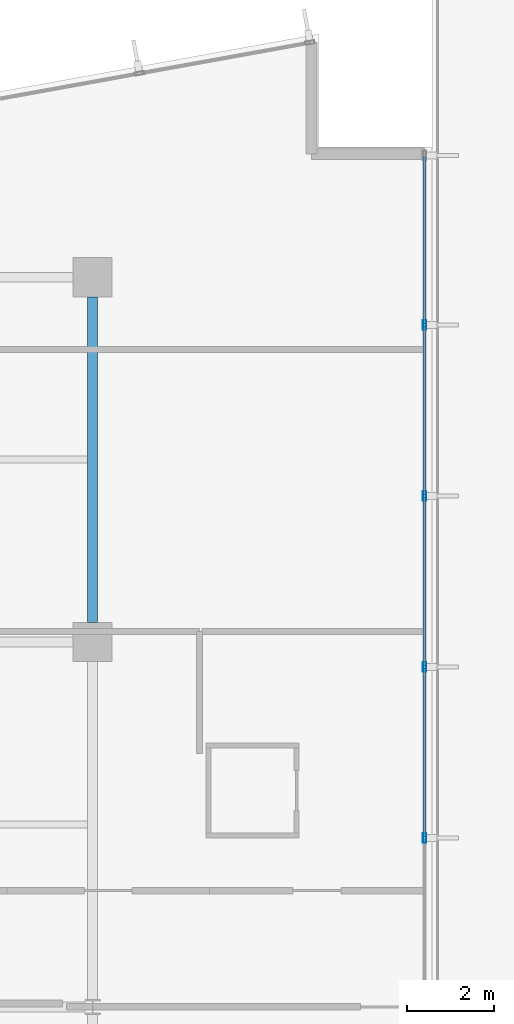
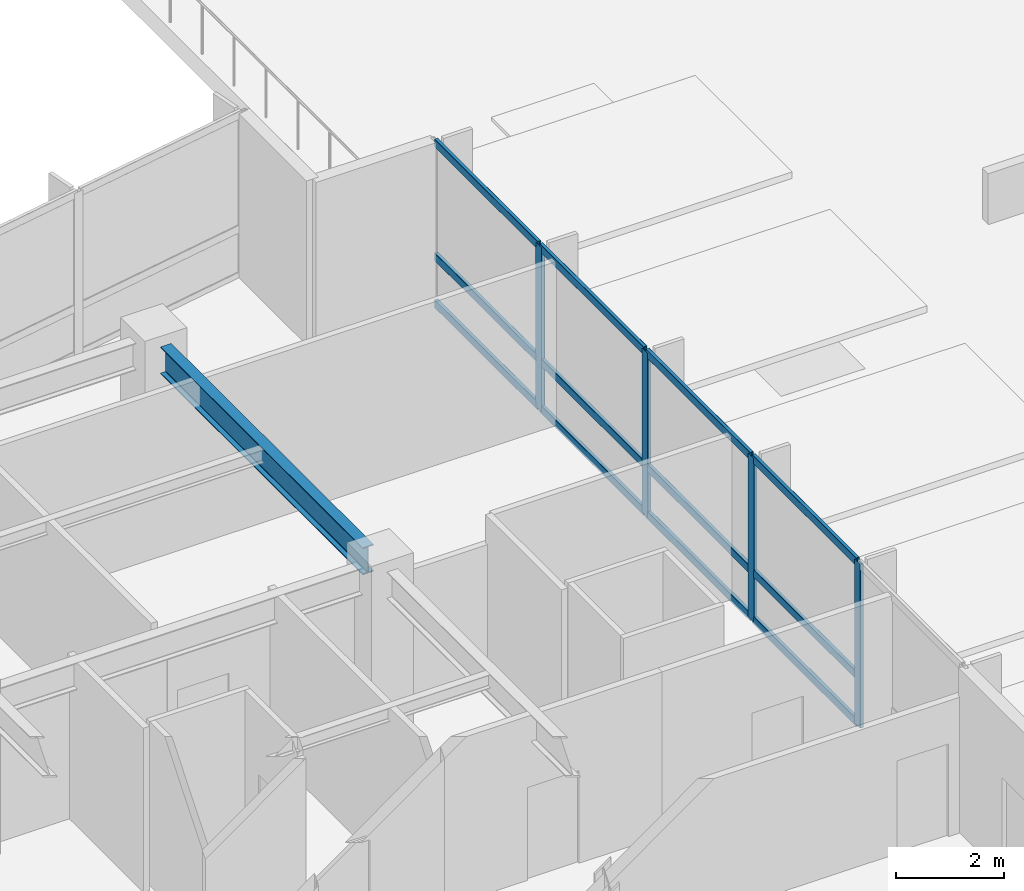
# One storey, part 6 of 20: 16 members, 1 beam, 1 element without a shape of its own.
"""IFC4 building model written with IfcOpenShell, lengths in metres."""

from ifc_helpers import new_model, si_unit, direction, frame, origin, origin_2d, place, context, subcontext, project, spatial, hollow_rectangle, i_section, extrude, material, layer, layer_set, material_profile, profile_set, type_object, element, aggregate, save


model = new_model("IFC4")

# Units and contexts
model_context = context("Model", 3, precision=1e-05, world=origin(), true_north=direction((0.0, 1.0)))
body_context = subcontext(model_context, "Body", "Model", "MODEL_VIEW")
ifc_project = project(units=[si_unit("LENGTHUNIT", "METRE"), si_unit("AREAUNIT", "SQUARE_METRE"), si_unit("VOLUMEUNIT", "CUBIC_METRE"), si_unit("PLANEANGLEUNIT", "RADIAN"), si_unit("MASSUNIT", "GRAM", prefix="KILO")], contexts=[model_context])

# Site, building, storey
site_placement = place(None, origin())
site = spatial("IfcSite", under=ifc_project, at=site_placement, CompositionType="ELEMENT")
building_placement = place(site_placement, origin())
building = spatial("IfcBuilding", under=site, at=building_placement, Name="Varnakote Quay Hospital", CompositionType="ELEMENT")
storey_placement = place(building_placement, frame((0.0, 0.0, 22.5)))
storey = spatial("IfcBuildingStorey", under=building, at=storey_placement, Name="L05", CompositionType="ELEMENT", Elevation=22.5)

# Beam
ifc_material_1 = material(Name="Structural steel AS/NZS 3679.1 Grade 350 L0 (fy 340 MPa)", Category="steel")
ifc_material_profile_1 = material_profile(ifc_material_1, i_section(OverallWidth=0.22900390625, OverallDepth=0.612060546875, WebThickness=0.011962890625, FlangeThickness=0.01953125, FilletRadius=0.013916015625, at=origin_2d()), Name="610UB125")
ifc_profile_set_1 = profile_set([ifc_material_profile_1], Name="Structural steel AS/NZS 3679.1 Grade 350 L0 (fy 340 MPa)")
beam_type = type_object("IfcBeamType", Name="BM-STL-610UB125", PredefinedType="BEAM", material=ifc_profile_set_1)
beam_placement = place(storey_placement, frame((50.39990234375, 20.85009765625, 3.404052734375), z_axis=(0.0, 1.0, 0.0), x_axis=(-1.0, 0.0, 0.0)))
element("IfcBeam", 1, at=beam_placement, inside=storey, type_object=beam_type, Name="L05 Primary Tie Beam", PredefinedType="BEAM", context=body_context, shape_type="SweptSolid", body=[
    extrude(i_section(OverallWidth=0.22900390625, OverallDepth=0.612060546875, WebThickness=0.011962890625, FlangeThickness=0.01953125, FilletRadius=0.013916015625, at=origin_2d()), origin(), (0.0, 0.0, 1.0), 7.5),
])

# Curtain wall, members
ifc_material_2 = material(Name="Anodised aluminium 6063-T6 Bronze", Category="aluminium")
ifc_layer = layer(ifc_material_2, 0.18994140625)
ifc_layer_set = layer_set([ifc_layer], Name="Anodised aluminium 6063-T6 Bronze")
curtain_wall_type = type_object("IfcCurtainWallType", Name="CW-SYS-2", PredefinedType="NOTDEFINED", material=ifc_layer_set)
curtain_wall_placement = place(storey_placement, origin())
curtain_wall = element("IfcCurtainWall", 2, at=curtain_wall_placement, inside=storey, type_object=curtain_wall_type, Name="L05 Unitised Bronze Curtain Wall 1", PredefinedType="NOTDEFINED")
ifc_material_3 = material(Name="Anodised aluminium 6063-T6 Bronze", Category="aluminium")
ifc_material_profile_2 = material_profile(ifc_material_3, hollow_rectangle(XDim=0.074951171875, YDim=0.219970703125, WallThickness=0.00439453125, InnerFilletRadius=0.00439453125, OuterFilletRadius=0.009033203125, at=origin_2d()), Name="CW-MULL-220x75")
ifc_profile_set_2 = profile_set([ifc_material_profile_2], Name="Anodised aluminium 6063-T6 Bronze")
member_type_1 = type_object("IfcMemberType", Name="CW-MULL-220x75", PredefinedType="MULLION", material=ifc_profile_set_2)
member_1_placement = place(storey_placement, frame((58.0400390625, 15.887939453125, 0.0), z_axis=(0.0, 0.0, 1.0), x_axis=(-1.0, 0.0, 0.0)))
member_1 = element("IfcMember", 3, at=member_1_placement, type_object=member_type_1, Name="-2-L05-1 mullion 2", PredefinedType="MULLION", context=body_context, shape_type="SweptSolid", body=[
    extrude(hollow_rectangle(XDim=0.074951171875, YDim=0.219970703125, WallThickness=0.00439453125, InnerFilletRadius=0.00439453125, OuterFilletRadius=0.009033203125, at=origin_2d()), origin(), (0.0, 0.0, 1.0), 3.7099609375),
])
member_2_placement = place(storey_placement, frame((58.0400390625, 19.825927734375, 0.0), z_axis=(0.0, 0.0, 1.0), x_axis=(-1.0, 0.0, 0.0)))
member_2 = element("IfcMember", 4, at=member_2_placement, type_object=member_type_1, Name="-2-L05-1 mullion 3", PredefinedType="MULLION", context=body_context, shape_type="SweptSolid", body=[
    extrude(hollow_rectangle(XDim=0.074951171875, YDim=0.219970703125, WallThickness=0.00439453125, InnerFilletRadius=0.00439453125, OuterFilletRadius=0.009033203125, at=origin_2d()), origin(), (0.0, 0.0, 1.0), 3.7099609375),
])
member_3_placement = place(storey_placement, frame((58.0400390625, 23.763916015625, 0.0), z_axis=(0.0, 0.0, 1.0), x_axis=(-1.0, 0.0, 0.0)))
member_3 = element("IfcMember", 5, at=member_3_placement, type_object=member_type_1, Name="-2-L05-1 mullion 4", PredefinedType="MULLION", context=body_context, shape_type="SweptSolid", body=[
    extrude(hollow_rectangle(XDim=0.074951171875, YDim=0.219970703125, WallThickness=0.00439453125, InnerFilletRadius=0.00439453125, OuterFilletRadius=0.009033203125, at=origin_2d()), origin(), (0.0, 0.0, 1.0), 3.7099609375),
])
member_4_placement = place(storey_placement, frame((58.0400390625, 27.701904296875, 0.0), z_axis=(0.0, 0.0, 1.0), x_axis=(-1.0, 0.0, 0.0)))
member_4 = element("IfcMember", 6, at=member_4_placement, type_object=member_type_1, Name="-2-L05-1 mullion 5", PredefinedType="MULLION", context=body_context, shape_type="SweptSolid", body=[
    extrude(hollow_rectangle(XDim=0.074951171875, YDim=0.219970703125, WallThickness=0.00439453125, InnerFilletRadius=0.00439453125, OuterFilletRadius=0.009033203125, at=origin_2d()), origin(), (0.0, 0.0, 1.0), 3.7099609375),
])
ifc_material_4 = material(Name="Anodised aluminium 6063-T6 Bronze", Category="aluminium")
ifc_material_profile_3 = material_profile(ifc_material_4, hollow_rectangle(XDim=0.074951171875, YDim=0.179931640625, WallThickness=0.004150390625, InnerFilletRadius=0.004150390625, OuterFilletRadius=0.00830078125, at=origin_2d()), Name="CW-TRAN-180x75")
ifc_profile_set_3 = profile_set([ifc_material_profile_3], Name="Anodised aluminium 6063-T6 Bronze")
member_type_2 = type_object("IfcMemberType", Name="CW-TRAN-180x75", PredefinedType="USERDEFINED", material=ifc_profile_set_3)
member_5_placement = place(storey_placement, frame((58.0400390625, 15.925537109375, 0.03759765625), z_axis=(0.0, 1.0, 0.0), x_axis=(-1.0, 0.0, 0.0)))
member_5 = element("IfcMember", 7, at=member_5_placement, type_object=member_type_2, Name="-2-L05-1 transom 2.1", ObjectType="TRANSOM", PredefinedType="USERDEFINED", context=body_context, shape_type="SweptSolid", body=[
    extrude(hollow_rectangle(XDim=0.074951171875, YDim=0.179931640625, WallThickness=0.004150390625, InnerFilletRadius=0.004150390625, OuterFilletRadius=0.00830078125, at=origin_2d()), origin(), (0.0, 0.0, 1.0), 3.863037109375),
])
member_6_placement = place(storey_placement, frame((58.0400390625, 15.925537109375, 1.10009765625), z_axis=(0.0, 1.0, 0.0), x_axis=(-1.0, 0.0, 0.0)))
member_6 = element("IfcMember", 8, at=member_6_placement, type_object=member_type_2, Name="-2-L05-1 transom 2.2", ObjectType="TRANSOM", PredefinedType="USERDEFINED", context=body_context, shape_type="SweptSolid", body=[
    extrude(hollow_rectangle(XDim=0.074951171875, YDim=0.179931640625, WallThickness=0.004150390625, InnerFilletRadius=0.004150390625, OuterFilletRadius=0.00830078125, at=origin_2d()), origin(), (0.0, 0.0, 1.0), 3.863037109375),
])
member_7_placement = place(storey_placement, frame((58.0400390625, 15.925537109375, 3.672607421875), z_axis=(0.0, 1.0, 0.0), x_axis=(-1.0, 0.0, 0.0)))
member_7 = element("IfcMember", 9, at=member_7_placement, type_object=member_type_2, Name="-2-L05-1 transom 2.3", ObjectType="TRANSOM", PredefinedType="USERDEFINED", context=body_context, shape_type="SweptSolid", body=[
    extrude(hollow_rectangle(XDim=0.074951171875, YDim=0.179931640625, WallThickness=0.004150390625, InnerFilletRadius=0.004150390625, OuterFilletRadius=0.00830078125, at=origin_2d()), origin(), (0.0, 0.0, 1.0), 3.863037109375),
])
member_8_placement = place(storey_placement, frame((58.0400390625, 19.863525390625, 0.03759765625), z_axis=(0.0, 1.0, 0.0), x_axis=(-1.0, 0.0, 0.0)))
member_8 = element("IfcMember", 10, at=member_8_placement, type_object=member_type_2, Name="-2-L05-1 transom 3.1", ObjectType="TRANSOM", PredefinedType="USERDEFINED", context=body_context, shape_type="SweptSolid", body=[
    extrude(hollow_rectangle(XDim=0.074951171875, YDim=0.179931640625, WallThickness=0.004150390625, InnerFilletRadius=0.004150390625, OuterFilletRadius=0.00830078125, at=origin_2d()), origin(), (0.0, 0.0, 1.0), 3.863037109375),
])
member_9_placement = place(storey_placement, frame((58.0400390625, 19.863525390625, 1.10009765625), z_axis=(0.0, 1.0, 0.0), x_axis=(-1.0, 0.0, 0.0)))
member_9 = element("IfcMember", 11, at=member_9_placement, type_object=member_type_2, Name="-2-L05-1 transom 3.2", ObjectType="TRANSOM", PredefinedType="USERDEFINED", context=body_context, shape_type="SweptSolid", body=[
    extrude(hollow_rectangle(XDim=0.074951171875, YDim=0.179931640625, WallThickness=0.004150390625, InnerFilletRadius=0.004150390625, OuterFilletRadius=0.00830078125, at=origin_2d()), origin(), (0.0, 0.0, 1.0), 3.863037109375),
])
member_10_placement = place(storey_placement, frame((58.0400390625, 19.863525390625, 3.672607421875), z_axis=(0.0, 1.0, 0.0), x_axis=(-1.0, 0.0, 0.0)))
member_10 = element("IfcMember", 12, at=member_10_placement, type_object=member_type_2, Name="-2-L05-1 transom 3.3", ObjectType="TRANSOM", PredefinedType="USERDEFINED", context=body_context, shape_type="SweptSolid", body=[
    extrude(hollow_rectangle(XDim=0.074951171875, YDim=0.179931640625, WallThickness=0.004150390625, InnerFilletRadius=0.004150390625, OuterFilletRadius=0.00830078125, at=origin_2d()), origin(), (0.0, 0.0, 1.0), 3.863037109375),
])
member_11_placement = place(storey_placement, frame((58.0400390625, 23.801513671875, 0.03759765625), z_axis=(0.0, 1.0, 0.0), x_axis=(-1.0, 0.0, 0.0)))
member_11 = element("IfcMember", 13, at=member_11_placement, type_object=member_type_2, Name="-2-L05-1 transom 4.1", ObjectType="TRANSOM", PredefinedType="USERDEFINED", context=body_context, shape_type="SweptSolid", body=[
    extrude(hollow_rectangle(XDim=0.074951171875, YDim=0.179931640625, WallThickness=0.004150390625, InnerFilletRadius=0.004150390625, OuterFilletRadius=0.00830078125, at=origin_2d()), origin(), (0.0, 0.0, 1.0), 3.863037109375),
])
member_12_placement = place(storey_placement, frame((58.0400390625, 23.801513671875, 1.10009765625), z_axis=(0.0, 1.0, 0.0), x_axis=(-1.0, 0.0, 0.0)))
member_12 = element("IfcMember", 14, at=member_12_placement, type_object=member_type_2, Name="-2-L05-1 transom 4.2", ObjectType="TRANSOM", PredefinedType="USERDEFINED", context=body_context, shape_type="SweptSolid", body=[
    extrude(hollow_rectangle(XDim=0.074951171875, YDim=0.179931640625, WallThickness=0.004150390625, InnerFilletRadius=0.004150390625, OuterFilletRadius=0.00830078125, at=origin_2d()), origin(), (0.0, 0.0, 1.0), 3.863037109375),
])
member_13_placement = place(storey_placement, frame((58.0400390625, 23.801513671875, 3.672607421875), z_axis=(0.0, 1.0, 0.0), x_axis=(-1.0, 0.0, 0.0)))
member_13 = element("IfcMember", 15, at=member_13_placement, type_object=member_type_2, Name="-2-L05-1 transom 4.3", ObjectType="TRANSOM", PredefinedType="USERDEFINED", context=body_context, shape_type="SweptSolid", body=[
    extrude(hollow_rectangle(XDim=0.074951171875, YDim=0.179931640625, WallThickness=0.004150390625, InnerFilletRadius=0.004150390625, OuterFilletRadius=0.00830078125, at=origin_2d()), origin(), (0.0, 0.0, 1.0), 3.863037109375),
])
member_14_placement = place(storey_placement, frame((58.0400390625, 27.739501953125, 0.03759765625), z_axis=(0.0, 1.0, 0.0), x_axis=(-1.0, 0.0, 0.0)))
member_14 = element("IfcMember", 16, at=member_14_placement, type_object=member_type_2, Name="-2-L05-1 transom 5.1", ObjectType="TRANSOM", PredefinedType="USERDEFINED", context=body_context, shape_type="SweptSolid", body=[
    extrude(hollow_rectangle(XDim=0.074951171875, YDim=0.179931640625, WallThickness=0.004150390625, InnerFilletRadius=0.004150390625, OuterFilletRadius=0.00830078125, at=origin_2d()), origin(), (0.0, 0.0, 1.0), 3.825439453125),
])
member_15_placement = place(storey_placement, frame((58.0400390625, 27.739501953125, 1.10009765625), z_axis=(0.0, 1.0, 0.0), x_axis=(-1.0, 0.0, 0.0)))
member_15 = element("IfcMember", 17, at=member_15_placement, type_object=member_type_2, Name="-2-L05-1 transom 5.2", ObjectType="TRANSOM", PredefinedType="USERDEFINED", context=body_context, shape_type="SweptSolid", body=[
    extrude(hollow_rectangle(XDim=0.074951171875, YDim=0.179931640625, WallThickness=0.004150390625, InnerFilletRadius=0.004150390625, OuterFilletRadius=0.00830078125, at=origin_2d()), origin(), (0.0, 0.0, 1.0), 3.825439453125),
])
member_16_placement = place(storey_placement, frame((58.0400390625, 27.739501953125, 3.672607421875), z_axis=(0.0, 1.0, 0.0), x_axis=(-1.0, 0.0, 0.0)))
member_16 = element("IfcMember", 18, at=member_16_placement, type_object=member_type_2, Name="-2-L05-1 transom 5.3", ObjectType="TRANSOM", PredefinedType="USERDEFINED", context=body_context, shape_type="SweptSolid", body=[
    extrude(hollow_rectangle(XDim=0.074951171875, YDim=0.179931640625, WallThickness=0.004150390625, InnerFilletRadius=0.004150390625, OuterFilletRadius=0.00830078125, at=origin_2d()), origin(), (0.0, 0.0, 1.0), 3.825439453125),
])
aggregate(curtain_wall, [member_1, member_2, member_3, member_4, member_5, member_6, member_7, member_8, member_9, member_10, member_11, member_12, member_13, member_14, member_15, member_16])

save(model, "model.ifc")
